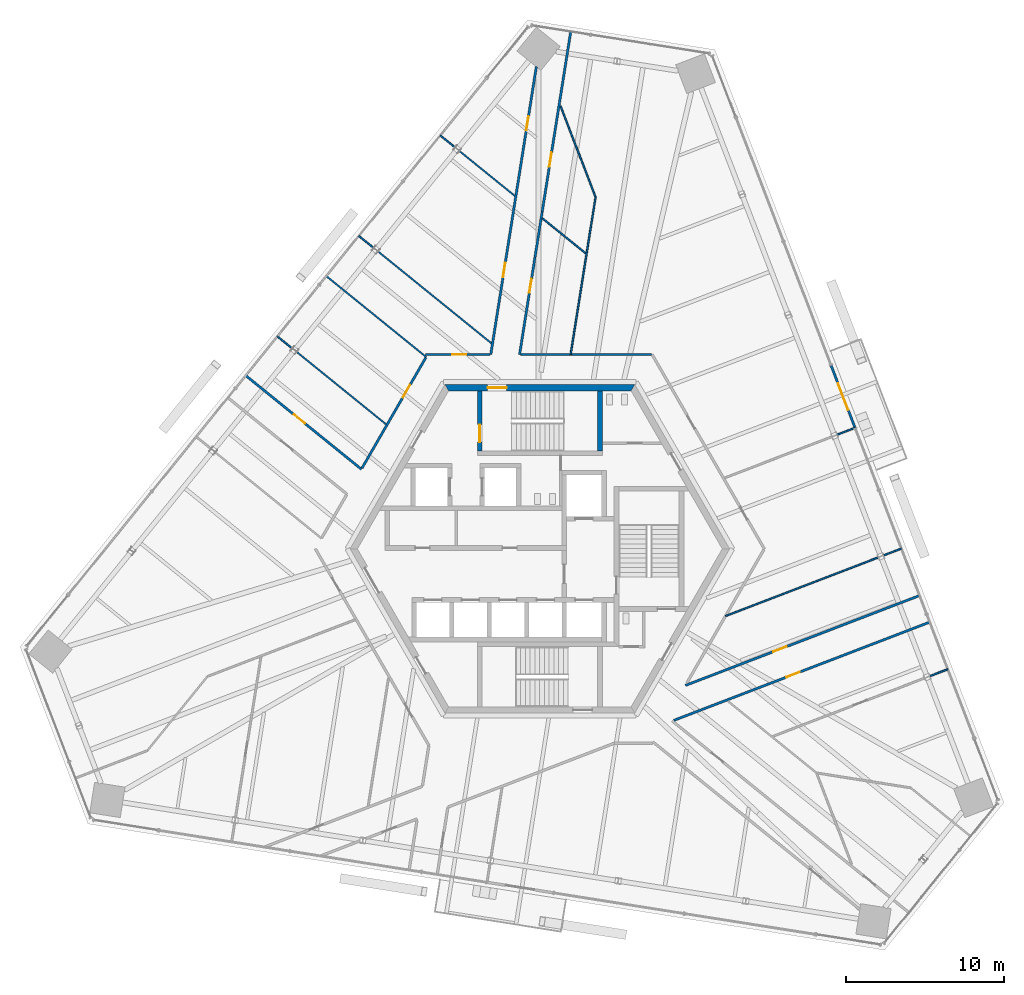
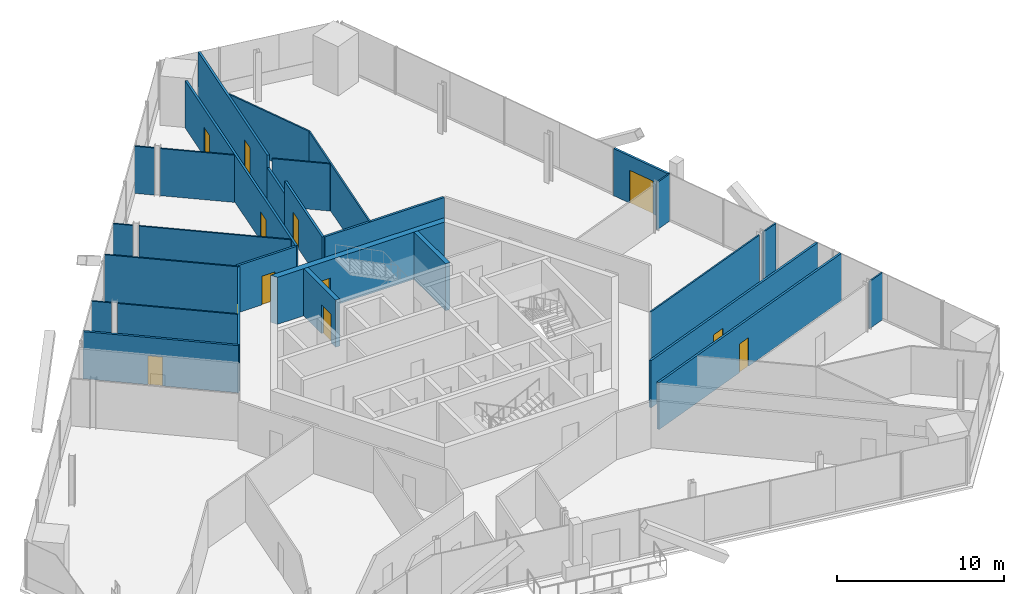
# One storey, part 14 of 19: 28 walls, 12 doors, 12 openings.
"""IFC4 building model written with IfcOpenShell, lengths in metres."""

from ifc_helpers import new_model, si_unit, direction, frame, frame_2d, origin, place, context, subcontext, project, spatial, polyline, rectangle, outline, extrude, source, transform, mapped, material, layer, layer_set, type_object, element, fill, save


model = new_model("IFC4")

# Units and contexts
model_context = context("Model", 3, precision=1e-05, world=origin(), true_north=direction((0.0, 1.0)))
body_context = subcontext(model_context, "Body", "Model", "MODEL_VIEW")
ifc_project = project(units=[si_unit("LENGTHUNIT", "METRE"), si_unit("AREAUNIT", "SQUARE_METRE"), si_unit("VOLUMEUNIT", "CUBIC_METRE"), si_unit("PLANEANGLEUNIT", "RADIAN"), si_unit("MASSUNIT", "GRAM", prefix="KILO")], contexts=[model_context])

# Site, building, storey
site_placement = place(None, origin())
site = spatial("IfcSite", under=ifc_project, at=site_placement, CompositionType="ELEMENT")
building_placement = place(site_placement, origin())
building = spatial("IfcBuilding", under=site, at=building_placement, Name="Triune Harvest Tower", CompositionType="ELEMENT")
storey_placement = place(building_placement, frame((0.0, 0.0, 149.699951171875)))
storey = spatial("IfcBuildingStorey", under=building, at=storey_placement, Name="L38", CompositionType="ELEMENT", Elevation=149.699951171875)

# Wall, opening, door
ifc_material_1 = material(Name="Gypsum board on steel studs", Category="steel")
ifc_layer_1 = layer(ifc_material_1, 0.14990234375)
ifc_layer_set_1 = layer_set([ifc_layer_1], Name="Gypsum board on steel studs")
wall_type_1 = type_object("IfcWallType", Name="Fire Partition 150 mm", PredefinedType="PARTITIONING", material=ifc_layer_set_1)
wall_1_placement = place(storey_placement, frame((-7.24560546875, 12.292236328125, 0.0), z_axis=(0.0, 0.0, 1.0), x_axis=(1.0, 0.0, 0.0)))
wall_1 = element("IfcWall", 1, at=wall_1_placement, inside=storey, type_object=wall_type_1, Name="Partition L38 023", PredefinedType="PARTITIONING", context=body_context, shape_type="SweptSolid", body=[
    extrude(rectangle(XDim=4.093017578125, YDim=0.14990234375, at=frame_2d((2.04638671875, 0.0))), origin(), (0.0, 0.0, 1.0), 3.43994140625),
])
opening_1_placement = place(wall_1_placement, frame((1.69287109375, 0.0, 0.0)))
opening_1 = element("IfcOpeningElement", 2, at=opening_1_placement, cuts=wall_1, Name="Opening L38-011", PredefinedType="OPENING", context=body_context, shape_type="SweptSolid", body=[
    extrude(rectangle(XDim=0.89990234375, YDim=2.10009765625, at=frame_2d((0.449951171875, 1.050048828125))), frame((0.0, 0.0849609375, 0.0), z_axis=(0.0, -1.0, 0.0), x_axis=(1.0, 0.0, 0.0)), (0.0, 0.0, 1.0), 0.169921875),
])
ifc_material_2 = material(Name="Timber and steel door set", Category="steel")
door_type_1 = type_object("IfcDoorType", Name="Single leaf door FD30 right hand 900 x 2100", OperationType="SINGLE_SWING_RIGHT", PredefinedType="DOOR", material=ifc_material_2)
door_1_placement = place(opening_1_placement, origin())
door_1 = element("IfcDoor", 3, at=door_1_placement, inside=storey, type_object=door_type_1, Name="Door L38-011 Pantry 38.11", OperationType="SINGLE_SWING_RIGHT", OverallHeight=2.10009765625, OverallWidth=0.89990234375, PredefinedType="DOOR", context=body_context, shape_type="SweptSolid", body=[
    extrude(rectangle(XDim=0.89990234375, YDim=2.10009765625, at=frame_2d((0.449951171875, 1.050048828125))), frame((0.0, 0.02490234375, 0.0), z_axis=(0.0, -1.0, 0.0), x_axis=(1.0, 0.0, 0.0)), (0.0, 0.0, 1.0), 0.050048828125),
])
fill(opening_1, door_1)

wall_2_placement = place(storey_placement, frame((-11.25048828125, 5.097900390625, 0.0), z_axis=(0.0, 0.0, 1.0), x_axis=(0.49998869817, 0.866031928801, 0.0)))
wall_2 = element("IfcWall", 4, at=wall_2_placement, inside=storey, type_object=wall_type_1, Name="Partition L38 042", PredefinedType="PARTITIONING", context=body_context, shape_type="SweptSolid", body=[
    extrude(rectangle(XDim=8.096435546875, YDim=0.14990234375, at=frame_2d((4.04833984375, 0.0))), origin(), (0.0, 0.0, 1.0), 3.43994140625),
])
opening_2_placement = place(wall_2_placement, frame((5.17333984375, 0.0, 0.0)))
opening_2 = element("IfcOpeningElement", 5, at=opening_2_placement, cuts=wall_2, Name="Opening L38-010", PredefinedType="OPENING", context=body_context, shape_type="SweptSolid", body=[
    extrude(rectangle(XDim=0.89990234375, YDim=2.10009765625, at=frame_2d((0.449951171875, 1.050048828125))), frame((0.0, 0.0849609375, 0.0), z_axis=(0.0, -1.0, 0.0), x_axis=(1.0, 0.0, 0.0)), (0.0, 0.0, 1.0), 0.169921875),
])
door_2_placement = place(opening_2_placement, origin())
door_2 = element("IfcDoor", 6, at=door_2_placement, inside=storey, type_object=door_type_1, Name="Door L38-010 Project Room 38.10", OperationType="SINGLE_SWING_RIGHT", OverallHeight=2.10009765625, OverallWidth=0.89990234375, PredefinedType="DOOR", context=body_context, shape_type="SweptSolid", body=[
    extrude(rectangle(XDim=0.89990234375, YDim=2.10009765625, at=frame_2d((0.449951171875, 1.050048828125))), frame((0.0, 0.02490234375, 0.0), z_axis=(0.0, -1.0, 0.0), x_axis=(1.0, 0.0, 0.0)), (0.0, 0.0, 1.0), 0.050048828125),
])
fill(opening_2, door_2)

# Wall
ifc_material_3 = material(Name="Gypsum board on steel studs", Category="steel")
ifc_layer_2 = layer(ifc_material_3, 0.10009765625)
ifc_layer_set_2 = layer_set([ifc_layer_2], Name="Gypsum board on steel studs")
wall_type_2 = type_object("IfcWallType", Name="Partition 100 mm", PredefinedType="PARTITIONING", material=ifc_layer_set_2)
wall_3_placement = place(storey_placement, frame((-13.505615234375, 17.248291015625, 0.0), z_axis=(0.0, 0.0, 1.0), x_axis=(0.777139237593, -0.629328694239, 0.0)))
element("IfcWall", 7, at=wall_3_placement, inside=storey, type_object=wall_type_2, Name="Partition L38 015", PredefinedType="PARTITIONING", context=body_context, shape_type="SweptSolid", body=[
    extrude(rectangle(XDim=8.128173828125, YDim=0.10009765625, at=frame_2d((4.06396484375, 0.0))), origin(), (0.0, 0.0, 1.0), 3.43994140625),
])

# Wall, opening, door
ifc_material_4 = material(Name="Concrete 70 MPa", Category="concrete")
ifc_layer_3 = layer(ifc_material_4, 0.39990234375)
ifc_layer_set_3 = layer_set([ifc_layer_3], Name="Concrete 70 MPa")
wall_type_3 = type_object("IfcWallType", Name="Core wall 400", PredefinedType="SHEAR", material=ifc_layer_set_3)
shared_shape_1 = source(origin(), body_context, "Body", "SweptSolid", [
    extrude(outline(polyline([(-0.115478515625, -0.199951171875), (11.884521484375, -0.199951171875), (11.653564453125, 0.199951171875), (0.115478515625, 0.199951171875), (-0.115478515625, -0.199951171875)])), origin(), (0.0, 0.0, 1.0), 3.43994140625),
])
wall_4_placement = place(storey_placement, frame((5.884521484375, 10.1923828125, 0.0), z_axis=(0.0, 0.0, 1.0), x_axis=(-1.0, 0.0, 0.0)))
wall_4 = element("IfcWall", 8, at=wall_4_placement, inside=storey, type_object=wall_type_3, Name="Hexagon 1 wall", PredefinedType="SHEAR", context=body_context, shape_type="MappedRepresentation", body=[
    mapped(shared_shape_1, transform((0.0, 0.0, 0.0), scale=1.0)),
])
opening_3_placement = place(wall_4_placement, frame((7.984619140625, 0.0, 0.0)))
opening_3 = element("IfcOpeningElement", 9, at=opening_3_placement, cuts=wall_4, Name="Opening CD-S1P", PredefinedType="OPENING", context=body_context, shape_type="SweptSolid", body=[
    extrude(rectangle(XDim=1.199951171875, YDim=2.10009765625, at=frame_2d((0.60009765625, 1.050048828125))), frame((0.0, 0.2099609375, 0.0), z_axis=(0.0, -1.0, 0.0), x_axis=(1.0, 0.0, 0.0)), (0.0, 0.0, 1.0), 0.419921875),
])
ifc_material_5 = material(Name="Steel S235", Category="steel")
door_type_2 = type_object("IfcDoorType", Name="Stair door 1200 FD120", OperationType="SINGLE_SWING_LEFT", PredefinedType="DOOR", material=ifc_material_5)
door_3_placement = place(opening_3_placement, frame((1.199951171875, 0.0, 0.0), z_axis=(0.0, 0.0, 1.0), x_axis=(-1.0, 0.0, 0.0)))
door_3 = element("IfcDoor", 10, at=door_3_placement, inside=storey, type_object=door_type_2, Name="Door CD-S1P", OperationType="SINGLE_SWING_RIGHT", OverallHeight=2.10009765625, OverallWidth=1.199951171875, PredefinedType="DOOR", context=body_context, shape_type="SweptSolid", body=[
    extrude(rectangle(XDim=1.199951171875, YDim=2.10009765625, at=frame_2d((0.60009765625, 1.050048828125))), frame((0.0, 0.02490234375, 0.0), z_axis=(0.0, -1.0, 0.0), x_axis=(1.0, 0.0, 0.0)), (0.0, 0.0, 1.0), 0.050048828125),
])
fill(opening_3, door_3)

ifc_material_6 = material(Name="Concrete 70 MPa", Category="concrete")
ifc_layer_4 = layer(ifc_material_6, 0.300048828125)
ifc_layer_set_4 = layer_set([ifc_layer_4], Name="Concrete 70 MPa")
wall_type_4 = type_object("IfcWallType", Name="Core wall 300", PredefinedType="SHEAR", material=ifc_layer_set_4)
shared_shape_2 = source(origin(), body_context, "Body", "SweptSolid", [
    extrude(outline(polyline([(0.0, -0.14990234375), (0.0, 0.14990234375), (3.80419921875, 0.14990234375), (3.80419921875, -0.14990234375), (0.0, -0.14990234375)])), origin(), (0.0, 0.0, 1.0), 3.43994140625),
])
wall_5_placement = place(storey_placement, frame((-3.800048828125, 6.18994140625, 0.0), z_axis=(0.0, 0.0, 1.0), x_axis=(0.0, 1.0, 0.0)))
wall_5 = element("IfcWall", 11, at=wall_5_placement, inside=storey, type_object=wall_type_4, Name="Stair n west wall", PredefinedType="SHEAR", context=body_context, shape_type="MappedRepresentation", body=[
    mapped(shared_shape_2, transform((0.0, 0.0, 0.0), scale=1.0)),
])
opening_4_placement = place(wall_5_placement, frame((0.56005859375, 0.0, 0.0)))
opening_4 = element("IfcOpeningElement", 12, at=opening_4_placement, cuts=wall_5, Name="Opening CD-S1L", PredefinedType="OPENING", context=body_context, shape_type="SweptSolid", body=[
    extrude(rectangle(XDim=1.10009765625, YDim=2.10009765625, at=frame_2d((0.550048828125, 1.050048828125))), frame((0.0, 0.16015625, 0.0), z_axis=(0.0, -1.0, 0.0), x_axis=(1.0, 0.0, 0.0)), (0.0, 0.0, 1.0), 0.320068359375),
])
ifc_material_7 = material(Name="Steel S235", Category="steel")
door_type_3 = type_object("IfcDoorType", Name="Stair door 1100 FD120", OperationType="SINGLE_SWING_LEFT", PredefinedType="DOOR", material=ifc_material_7)
door_4_placement = place(opening_4_placement, frame((1.10009765625, 0.0, 0.0), z_axis=(0.0, 0.0, 1.0), x_axis=(-1.0, 0.0, 0.0)))
door_4 = element("IfcDoor", 13, at=door_4_placement, inside=storey, type_object=door_type_3, Name="Door CD-S1L", OperationType="SINGLE_SWING_RIGHT", OverallHeight=2.10009765625, OverallWidth=1.10009765625, PredefinedType="DOOR", context=body_context, shape_type="SweptSolid", body=[
    extrude(rectangle(XDim=1.10009765625, YDim=2.10009765625, at=frame_2d((0.550048828125, 1.050048828125))), frame((0.0, 0.02490234375, 0.0), z_axis=(0.0, -1.0, 0.0), x_axis=(1.0, 0.0, 0.0)), (0.0, 0.0, 1.0), 0.050048828125),
])
fill(opening_4, door_4)

# Wall
wall_6_placement = place(storey_placement, frame((3.800048828125, 6.18994140625, 0.0), z_axis=(0.0, 0.0, 1.0), x_axis=(0.0, 1.0, 0.0)))
element("IfcWall", 14, at=wall_6_placement, inside=storey, type_object=wall_type_4, Name="Stair n east wall", PredefinedType="SHEAR", context=body_context, shape_type="MappedRepresentation", body=[
    mapped(shared_shape_2, transform((0.0, 0.0, 0.0), scale=1.0)),
])

# Wall, opening, door
ifc_material_8 = material(Name="Aluminium bronze anodised", Category="aluminium")
ifc_layer_5 = layer(ifc_material_8, 0.14990234375)
ifc_layer_set_5 = layer_set([ifc_layer_5], Name="Aluminium bronze anodised")
wall_type_5 = type_object("IfcWallType", Name="WW-2 balcony window wall", PredefinedType="ELEMENTEDWALL", material=ifc_layer_set_5)
shared_shape_3 = source(origin(), body_context, "Body", "SweptSolid", [
    extrude(rectangle(XDim=4.22119140625, YDim=0.14990234375, at=frame_2d((2.110595703125, 0.0))), origin(), (0.0, 0.0, 1.0), 3.43994140625),
])
wall_7_placement = place(storey_placement, frame((18.419921875, 11.59228515625, 0.0), z_axis=(0.0, 0.0, 1.0), x_axis=(0.358351150788, -0.933586874762, 0.0)))
wall_7 = element("IfcWall", 15, at=wall_7_placement, inside=storey, type_object=wall_type_5, Name="WW-2 B4-F1 L38.7", PredefinedType="ELEMENTEDWALL", context=body_context, shape_type="MappedRepresentation", body=[
    mapped(shared_shape_3, transform((0.0, 0.0, 0.0), scale=1.0)),
])
opening_5_placement = place(wall_7_placement, frame((1.21044921875, 0.0, 0.0)))
opening_5 = element("IfcOpeningElement", 16, at=opening_5_placement, cuts=wall_7, Name="Opening L38-E01", PredefinedType="OPENING", context=body_context, shape_type="SweptSolid", body=[
    extrude(rectangle(XDim=1.800048828125, YDim=2.39990234375, at=frame_2d((0.89990234375, 1.199951171875))), frame((0.0, 0.0849609375, 0.0), z_axis=(0.0, -1.0, 0.0), x_axis=(1.0, 0.0, 0.0)), (0.0, 0.0, 1.0), 0.169921875),
])
ifc_material_9 = material(Name="Glass", Category="glass")
door_type_4 = type_object("IfcDoorType", Name="DB-1 balcony door 1800 x 2400", OperationType="DOUBLE_DOOR_SINGLE_SWING", PredefinedType="DOOR", material=ifc_material_9)
door_5_placement = place(opening_5_placement, origin())
door_5 = element("IfcDoor", 17, at=door_5_placement, inside=storey, type_object=door_type_4, Name="Door L38-E01", OperationType="DOUBLE_DOOR_SINGLE_SWING", OverallHeight=2.39990234375, OverallWidth=1.800048828125, PredefinedType="DOOR", context=body_context, shape_type="SweptSolid", body=[
    extrude(rectangle(XDim=1.800048828125, YDim=2.39990234375, at=frame_2d((0.89990234375, 1.199951171875))), frame((0.0, 0.02490234375, 0.0), z_axis=(0.0, -1.0, 0.0), x_axis=(1.0, 0.0, 0.0)), (0.0, 0.0, 1.0), 0.050048828125),
])
fill(opening_5, door_5)

# Walls
shared_shape_4 = source(origin(), body_context, "Body", "SweptSolid", [
    extrude(rectangle(XDim=6.1650390625, YDim=0.10009765625, at=frame_2d((3.08251953125, 0.0))), origin(), (0.0, 0.0, 1.0), 3.43994140625),
])
wall_8_placement = place(storey_placement, frame((1.3095703125, 28.00439453125, 0.0), z_axis=(0.0, 0.0, 1.0), x_axis=(0.358347425977, -0.933588304498, 0.0)))
element("IfcWall", 18, at=wall_8_placement, inside=storey, type_object=wall_type_2, Name="Partition L38 001", PredefinedType="PARTITIONING", context=body_context, shape_type="MappedRepresentation", body=[
    mapped(shared_shape_4, transform((0.0, 0.0, 0.0), scale=1.0)),
])
shared_shape_5 = source(origin(), body_context, "Body", "SweptSolid", [
    extrude(rectangle(XDim=1.212158203125, YDim=0.10009765625, at=frame_2d((0.60595703125, 0.0))), origin(), (0.0, 0.0, 1.0), 3.43994140625),
])
for number, where, z_axis, x_axis, name in (
    (19, (-11.447998046875, 19.78955078125, 0.0), (0.0, 0.0, 1.0), (0.777240180322, -0.629204022629, 0.0), "Partition L38 016"),
    (20, (-6.303466796875, 26.142578125, 0.0), (0.0, 0.0, 1.0), (0.777240180322, -0.629204022629, 0.0), "Partition L38 018"),
    (21, (24.660400390625, -8.047119140625, 0.0), (0.0, 0.0, 1.0), (0.933594564159, 0.358331117506, 0.0), "Partition L38 026"),
    (22, (21.730712890625, -0.4150390625, 0.0), (0.0, 0.0, 1.0), (0.933594564159, 0.358331117506, 0.0), "Partition L38 034"),
    (23, (18.801025390625, 7.216796875, 0.0), (0.0, 0.0, 1.0), (0.933594564159, 0.358331117506, 0.0), "Partition L38 038"),
):
    element("IfcWall", number, at=place(storey_placement, frame(where, z_axis=z_axis, x_axis=x_axis)), inside=storey, type_object=wall_type_2, Name=name, PredefinedType="PARTITIONING", context=body_context, shape_type="MappedRepresentation", body=[
        mapped(shared_shape_5, transform((0.0, 0.0, 0.0), scale=1.0)),
    ])

# Wall, opening, door
shared_shape_6 = source(origin(), body_context, "Body", "SweptSolid", [
    extrude(rectangle(XDim=9.409912109375, YDim=0.14990234375, at=frame_2d((4.705078125, 0.0))), origin(), (0.0, 0.0, 1.0), 3.43994140625),
])
wall_9_placement = place(storey_placement, frame((-18.5986328125, 10.958984375, 0.0), z_axis=(0.0, 0.0, 1.0), x_axis=(0.777149399254, -0.6293161457, 0.0)))
wall_9 = element("IfcWall", 24, at=wall_9_placement, inside=storey, type_object=wall_type_1, Name="Partition L38 009", PredefinedType="PARTITIONING", context=body_context, shape_type="MappedRepresentation", body=[
    mapped(shared_shape_6, transform((0.0, 0.0, 0.0), scale=1.0)),
])
opening_6_placement = place(wall_9_placement, frame((3.914794921875, 0.0, 0.0)))
opening_6 = element("IfcOpeningElement", 25, at=opening_6_placement, cuts=wall_9, Name="Opening L38-013", PredefinedType="OPENING", context=body_context, shape_type="SweptSolid", body=[
    extrude(rectangle(XDim=0.89990234375, YDim=2.10009765625, at=frame_2d((0.449951171875, 1.050048828125))), frame((0.0, 0.0849609375, 0.0), z_axis=(0.0, -1.0, 0.0), x_axis=(1.0, 0.0, 0.0)), (0.0, 0.0, 1.0), 0.169921875),
])
ifc_material_10 = material(Name="Timber and steel door set", Category="steel")
door_type_5 = type_object("IfcDoorType", Name="Single leaf door FD30 left hand 900 x 2100", OperationType="SINGLE_SWING_LEFT", PredefinedType="DOOR", material=ifc_material_10)
door_6_placement = place(opening_6_placement, origin())
door_6 = element("IfcDoor", 26, at=door_6_placement, inside=storey, type_object=door_type_5, Name="Door L38-013 Office 38.13", OperationType="SINGLE_SWING_LEFT", OverallHeight=2.10009765625, OverallWidth=0.89990234375, PredefinedType="DOOR", context=body_context, shape_type="SweptSolid", body=[
    extrude(rectangle(XDim=0.89990234375, YDim=2.10009765625, at=frame_2d((0.449951171875, 1.050048828125))), frame((0.0, 0.02490234375, 0.0), z_axis=(0.0, -1.0, 0.0), x_axis=(1.0, 0.0, 0.0)), (0.0, 0.0, 1.0), 0.050048828125),
])
fill(opening_6, door_6)

# Walls
shared_shape_7 = source(origin(), body_context, "Body", "SweptSolid", [
    extrude(rectangle(XDim=1.2119140625, YDim=0.10009765625, at=frame_2d((0.60595703125, 0.0))), origin(), (0.0, 0.0, 1.0), 3.43994140625),
])
wall_10_placement = place(storey_placement, frame((-16.592529296875, 13.436279296875, 0.0), z_axis=(0.0, 0.0, 1.0), x_axis=(0.777160423943, -0.629302530948, 0.0)))
element("IfcWall", 27, at=wall_10_placement, inside=storey, type_object=wall_type_2, Name="Partition L38 011", PredefinedType="PARTITIONING", context=body_context, shape_type="MappedRepresentation", body=[
    mapped(shared_shape_7, transform((0.0, 0.0, 0.0), scale=1.0)),
])
shared_shape_8 = source(origin(), body_context, "Body", "SweptSolid", [
    extrude(rectangle(XDim=7.279541015625, YDim=0.10009765625, at=frame_2d((3.6396484375, 0.0))), origin(), (0.0, 0.0, 1.0), 3.43994140625),
])
wall_11_placement = place(storey_placement, frame((-15.3759765625, 12.451171875, 0.0), z_axis=(0.0, 0.0, 1.0), x_axis=(0.777164420304, -0.629297595589, 0.0)))
element("IfcWall", 28, at=wall_11_placement, inside=storey, type_object=wall_type_2, Name="Partition L38 012", PredefinedType="PARTITIONING", context=body_context, shape_type="MappedRepresentation", body=[
    mapped(shared_shape_8, transform((0.0, 0.0, 0.0), scale=1.0)),
])
shared_shape_9 = source(origin(), body_context, "Body", "SweptSolid", [
    extrude(rectangle(XDim=9.21630859375, YDim=0.10009765625, at=frame_2d((4.608154296875, 0.0))), origin(), (0.0, 0.0, 1.0), 3.43994140625),
])
wall_12_placement = place(storey_placement, frame((-10.231201171875, 18.804443359375, 0.0), z_axis=(0.0, 0.0, 1.0), x_axis=(0.777141222029, -0.629326243711, 0.0)))
element("IfcWall", 29, at=wall_12_placement, inside=storey, type_object=wall_type_2, Name="Partition L38 017", PredefinedType="PARTITIONING", context=body_context, shape_type="MappedRepresentation", body=[
    mapped(shared_shape_9, transform((0.0, 0.0, 0.0), scale=1.0)),
])
shared_shape_10 = source(origin(), body_context, "Body", "SweptSolid", [
    extrude(rectangle(XDim=4.496337890625, YDim=0.10009765625, at=frame_2d((2.248046875, 0.0))), origin(), (0.0, 0.0, 1.0), 3.43994140625),
])
wall_13_placement = place(storey_placement, frame((-5.086669921875, 25.157470703125, 0.0), z_axis=(0.0, 0.0, 1.0), x_axis=(0.777157615615, -0.62930599909, 0.0)))
element("IfcWall", 30, at=wall_13_placement, inside=storey, type_object=wall_type_2, Name="Partition L38 019", PredefinedType="PARTITIONING", context=body_context, shape_type="MappedRepresentation", body=[
    mapped(shared_shape_10, transform((0.0, 0.0, 0.0), scale=1.0)),
])
shared_shape_11 = source(origin(), body_context, "Body", "SweptSolid", [
    extrude(rectangle(XDim=3.53076171875, YDim=0.10009765625, at=frame_2d((1.765380859375, 0.0))), origin(), (0.0, 0.0, 1.0), 3.43994140625),
])
wall_14_placement = place(storey_placement, frame((0.1630859375, 20.906494140625, 0.0), z_axis=(0.0, 0.0, 1.0), x_axis=(0.777151465332, -0.629313594269, 0.0)))
element("IfcWall", 31, at=wall_14_placement, inside=storey, type_object=wall_type_2, Name="Partition L38 020", PredefinedType="PARTITIONING", context=body_context, shape_type="MappedRepresentation", body=[
    mapped(shared_shape_11, transform((0.0, 0.0, 0.0), scale=1.0)),
])
shared_shape_12 = source(origin(), body_context, "Body", "SweptSolid", [
    extrude(rectangle(XDim=8.25732421875, YDim=0.14990234375, at=frame_2d((4.128662109375, 0.0))), origin(), (0.0, 0.0, 1.0), 3.43994140625),
])
wall_15_placement = place(storey_placement, frame((-1.210205078125, 12.292236328125, 0.0), z_axis=(0.0, 0.0, 1.0), x_axis=(1.0, 0.0, 0.0)))
element("IfcWall", 32, at=wall_15_placement, inside=storey, type_object=wall_type_1, Name="Partition L38 024", PredefinedType="PARTITIONING", context=body_context, shape_type="MappedRepresentation", body=[
    mapped(shared_shape_12, transform((0.0, 0.0, 0.0), scale=1.0)),
])

# Wall, opening, door
shared_shape_13 = source(origin(), body_context, "Body", "SweptSolid", [
    extrude(rectangle(XDim=17.322021484375, YDim=0.14990234375, at=frame_2d((8.6611328125, 0.0))), origin(), (0.0, 0.0, 1.0), 3.43994140625),
])
wall_16_placement = place(storey_placement, frame((8.478271484375, -10.844482421875, 0.0), z_axis=(0.0, 0.0, 1.0), x_axis=(0.933577530951, 0.35837549261, 0.0)))
wall_16 = element("IfcWall", 33, at=wall_16_placement, inside=storey, type_object=wall_type_1, Name="Partition L38 030", PredefinedType="PARTITIONING", context=body_context, shape_type="MappedRepresentation", body=[
    mapped(shared_shape_13, transform((0.0, 0.0, 0.0), scale=1.0)),
])
opening_7_placement = place(wall_16_placement, frame((7.620361328125, 0.0, 0.0)))
opening_7 = element("IfcOpeningElement", 34, at=opening_7_placement, cuts=wall_16, Name="Opening L38-003", PredefinedType="OPENING", context=body_context, shape_type="SweptSolid", body=[
    extrude(rectangle(XDim=0.89990234375, YDim=2.10009765625, at=frame_2d((0.449951171875, 1.050048828125))), frame((0.0, 0.0849609375, 0.0), z_axis=(0.0, -1.0, 0.0), x_axis=(1.0, 0.0, 0.0)), (0.0, 0.0, 1.0), 0.169921875),
])
door_7_placement = place(opening_7_placement, origin())
door_7 = element("IfcDoor", 35, at=door_7_placement, inside=storey, type_object=door_type_1, Name="Door L38-003 Office 38.03", OperationType="SINGLE_SWING_RIGHT", OverallHeight=2.10009765625, OverallWidth=0.89990234375, PredefinedType="DOOR", context=body_context, shape_type="SweptSolid", body=[
    extrude(rectangle(XDim=0.89990234375, YDim=2.10009765625, at=frame_2d((0.449951171875, 1.050048828125))), frame((0.0, 0.02490234375, 0.0), z_axis=(0.0, -1.0, 0.0), x_axis=(1.0, 0.0, 0.0)), (0.0, 0.0, 1.0), 0.050048828125),
])
fill(opening_7, door_7)

shared_shape_14 = source(origin(), body_context, "Body", "SweptSolid", [
    extrude(rectangle(XDim=15.849365234375, YDim=0.14990234375, at=frame_2d((7.9248046875, 0.0))), origin(), (0.0, 0.0, 1.0), 3.43994140625),
])
wall_17_placement = place(storey_placement, frame((9.207763671875, -8.636474609375, 0.0), z_axis=(0.0, 0.0, 1.0), x_axis=(0.933579640941, 0.358369995982, 0.0)))
wall_17 = element("IfcWall", 36, at=wall_17_placement, inside=storey, type_object=wall_type_1, Name="Partition L38 032", PredefinedType="PARTITIONING", context=body_context, shape_type="MappedRepresentation", body=[
    mapped(shared_shape_14, transform((0.0, 0.0, 0.0), scale=1.0)),
])
opening_8_placement = place(wall_17_placement, frame((5.947509765625, 0.0, 0.0)))
opening_8 = element("IfcOpeningElement", 37, at=opening_8_placement, cuts=wall_17, Name="Opening L38-002", PredefinedType="OPENING", context=body_context, shape_type="SweptSolid", body=[
    extrude(rectangle(XDim=0.89990234375, YDim=2.10009765625, at=frame_2d((0.449951171875, 1.050048828125))), frame((0.0, 0.0849609375, 0.0), z_axis=(0.0, -1.0, 0.0), x_axis=(1.0, 0.0, 0.0)), (0.0, 0.0, 1.0), 0.169921875),
])
door_8_placement = place(opening_8_placement, origin())
door_8 = element("IfcDoor", 38, at=door_8_placement, inside=storey, type_object=door_type_5, Name="Door L38-002 Project Room 38.02", OperationType="SINGLE_SWING_LEFT", OverallHeight=2.10009765625, OverallWidth=0.89990234375, PredefinedType="DOOR", context=body_context, shape_type="SweptSolid", body=[
    extrude(rectangle(XDim=0.89990234375, YDim=2.10009765625, at=frame_2d((0.449951171875, 1.050048828125))), frame((0.0, 0.02490234375, 0.0), z_axis=(0.0, -1.0, 0.0), x_axis=(1.0, 0.0, 0.0)), (0.0, 0.0, 1.0), 0.050048828125),
])
fill(opening_8, door_8)

# Walls
shared_shape_15 = source(origin(), body_context, "Body", "SweptSolid", [
    extrude(rectangle(XDim=10.34765625, YDim=0.10009765625, at=frame_2d((5.173828125, 0.0))), origin(), (0.0, 0.0, 1.0), 3.43994140625),
])
wall_18_placement = place(storey_placement, frame((11.740234375, -4.25, 0.0), z_axis=(0.0, 0.0, 1.0), x_axis=(0.933573448409, 0.358386127558, 0.0)))
element("IfcWall", 39, at=wall_18_placement, inside=storey, type_object=wall_type_2, Name="Partition L38 033", PredefinedType="PARTITIONING", context=body_context, shape_type="MappedRepresentation", body=[
    mapped(shared_shape_15, transform((0.0, 0.0, 0.0), scale=1.0)),
])
shared_shape_16 = source(origin(), body_context, "Body", "SweptSolid", [
    extrude(rectangle(XDim=10.0712890625, YDim=0.10009765625, at=frame_2d((5.03564453125, 0.0))), origin(), (0.0, 0.0, 1.0), 3.43994140625),
])
wall_19_placement = place(storey_placement, frame((1.947021484375, 12.292236328125, 0.0), z_axis=(0.0, 0.0, 1.0), x_axis=(0.15642936564, 0.987689148247, 0.0)))
element("IfcWall", 40, at=wall_19_placement, inside=storey, type_object=wall_type_2, Name="Partition L38 045", PredefinedType="PARTITIONING", context=body_context, shape_type="MappedRepresentation", body=[
    mapped(shared_shape_16, transform((0.0, 0.0, 0.0), scale=1.0)),
])

# Wall, opening, door
shared_shape_17 = source(origin(), body_context, "Body", "SweptSolid", [
    extrude(rectangle(XDim=6.223388671875, YDim=0.14990234375, at=frame_2d((3.11181640625, 0.0))), origin(), (0.0, 0.0, 1.0), 3.43994140625),
])
wall_20_placement = place(storey_placement, frame((-1.280517578125, 12.292236328125, 0.0), z_axis=(0.0, 0.0, 1.0), x_axis=(0.156448048694, 0.98768618906, 0.0)))
wall_20 = element("IfcWall", 41, at=wall_20_placement, inside=storey, type_object=wall_type_1, Name="Partition L38 047", PredefinedType="PARTITIONING", context=body_context, shape_type="MappedRepresentation", body=[
    mapped(shared_shape_17, transform((0.0, 0.0, 0.0), scale=1.0)),
])
opening_9_placement = place(wall_20_placement, frame((3.949951171875, 0.0, 0.0)))
opening_9 = element("IfcOpeningElement", 42, at=opening_9_placement, cuts=wall_20, Name="Opening L38-009", PredefinedType="OPENING", context=body_context, shape_type="SweptSolid", body=[
    extrude(rectangle(XDim=0.89990234375, YDim=2.10009765625, at=frame_2d((0.449951171875, 1.050048828125))), frame((0.0, 0.0849609375, 0.0), z_axis=(0.0, -1.0, 0.0), x_axis=(1.0, 0.0, 0.0)), (0.0, 0.0, 1.0), 0.169921875),
])
door_9_placement = place(opening_9_placement, origin())
door_9 = element("IfcDoor", 43, at=door_9_placement, inside=storey, type_object=door_type_1, Name="Door L38-009 Office 38.09", OperationType="SINGLE_SWING_RIGHT", OverallHeight=2.10009765625, OverallWidth=0.89990234375, PredefinedType="DOOR", context=body_context, shape_type="SweptSolid", body=[
    extrude(rectangle(XDim=0.89990234375, YDim=2.10009765625, at=frame_2d((0.449951171875, 1.050048828125))), frame((0.0, 0.02490234375, 0.0), z_axis=(0.0, -1.0, 0.0), x_axis=(1.0, 0.0, 0.0)), (0.0, 0.0, 1.0), 0.050048828125),
])
fill(opening_9, door_9)

# Wall
shared_shape_18 = source(origin(), body_context, "Body", "SweptSolid", [
    extrude(rectangle(XDim=2.91162109375, YDim=0.14990234375, at=frame_2d((1.455810546875, 0.0))), origin(), (0.0, 0.0, 1.0), 2.51806640625),
])
wall_21_placement = place(storey_placement, frame((-0.306884765625, 18.43896484375, 0.0), z_axis=(0.0, 0.0, 1.0), x_axis=(0.156384540277, 0.987696246607, 0.0)))
element("IfcWall", 44, at=wall_21_placement, inside=storey, type_object=wall_type_1, Name="Partition L38 047a", PredefinedType="PARTITIONING", context=body_context, shape_type="MappedRepresentation", body=[
    mapped(shared_shape_18, transform((0.0, 0.0, 0.0), scale=1.0)),
])

# Wall, opening, door
shared_shape_19 = source(origin(), body_context, "Body", "SweptSolid", [
    extrude(rectangle(XDim=11.533447265625, YDim=0.14990234375, at=frame_2d((5.7666015625, 0.0))), origin(), (0.0, 0.0, 1.0), 3.43994140625),
])
wall_22_placement = place(storey_placement, frame((0.1484375, 21.314697265625, 0.0), z_axis=(0.0, 0.0, 1.0), x_axis=(0.156453884379, 0.987685264678, 0.0)))
wall_22 = element("IfcWall", 45, at=wall_22_placement, inside=storey, type_object=wall_type_1, Name="Partition L38 047b", PredefinedType="PARTITIONING", context=body_context, shape_type="MappedRepresentation", body=[
    mapped(shared_shape_19, transform((0.0, 0.0, 0.0), scale=1.0)),
])
opening_10_placement = place(wall_22_placement, frame((2.89404296875, 0.0, 0.0)))
opening_10 = element("IfcOpeningElement", 46, at=opening_10_placement, cuts=wall_22, Name="Opening L38-007", PredefinedType="OPENING", context=body_context, shape_type="SweptSolid", body=[
    extrude(rectangle(XDim=0.89990234375, YDim=2.10009765625, at=frame_2d((0.449951171875, 1.050048828125))), frame((0.0, 0.0849609375, 0.0), z_axis=(0.0, -1.0, 0.0), x_axis=(1.0, 0.0, 0.0)), (0.0, 0.0, 1.0), 0.169921875),
])
door_10_placement = place(opening_10_placement, origin())
door_10 = element("IfcDoor", 47, at=door_10_placement, inside=storey, type_object=door_type_5, Name="Door L38-007 Open Office 38.07", OperationType="SINGLE_SWING_LEFT", OverallHeight=2.10009765625, OverallWidth=0.89990234375, PredefinedType="DOOR", context=body_context, shape_type="SweptSolid", body=[
    extrude(rectangle(XDim=0.89990234375, YDim=2.10009765625, at=frame_2d((0.449951171875, 1.050048828125))), frame((0.0, 0.02490234375, 0.0), z_axis=(0.0, -1.0, 0.0), x_axis=(1.0, 0.0, 0.0)), (0.0, 0.0, 1.0), 0.050048828125),
])
fill(opening_10, door_10)

# Wall, openings, doors
shared_shape_20 = source(origin(), body_context, "Body", "SweptSolid", [
    extrude(rectangle(XDim=18.4287109375, YDim=0.14990234375, at=frame_2d((9.21435546875, 0.0))), origin(), (0.0, 0.0, 1.0), 3.43994140625),
])
wall_23_placement = place(storey_placement, frame((-3.102783203125, 12.29248046875, 0.0), z_axis=(0.0, 0.0, 1.0), x_axis=(0.156416992947, 0.987691107744, 0.0)))
wall_23 = element("IfcWall", 48, at=wall_23_placement, inside=storey, type_object=wall_type_1, Name="Partition L38 050", PredefinedType="PARTITIONING", context=body_context, shape_type="MappedRepresentation", body=[
    mapped(shared_shape_20, transform((0.0, 0.0, 0.0), scale=1.0)),
])
opening_11_placement = place(wall_23_placement, frame((14.349609375, 0.0, 0.0)))
opening_11 = element("IfcOpeningElement", 49, at=opening_11_placement, cuts=wall_23, Name="Opening L38-006", PredefinedType="OPENING", context=body_context, shape_type="SweptSolid", body=[
    extrude(rectangle(XDim=0.89990234375, YDim=2.10009765625, at=frame_2d((0.449951171875, 1.050048828125))), frame((0.0, 0.0849609375, 0.0), z_axis=(0.0, -1.0, 0.0), x_axis=(1.0, 0.0, 0.0)), (0.0, 0.0, 1.0), 0.169921875),
])
opening_12_placement = place(wall_23_placement, frame((4.952880859375, 0.0, 0.0)))
opening_12 = element("IfcOpeningElement", 50, at=opening_12_placement, cuts=wall_23, Name="Opening L38-008", PredefinedType="OPENING", context=body_context, shape_type="SweptSolid", body=[
    extrude(rectangle(XDim=0.89990234375, YDim=2.10009765625, at=frame_2d((0.449951171875, 1.050048828125))), frame((0.0, 0.0849609375, 0.0), z_axis=(0.0, -1.0, 0.0), x_axis=(1.0, 0.0, 0.0)), (0.0, 0.0, 1.0), 0.169921875),
])
door_11_placement = place(opening_12_placement, origin())
door_11 = element("IfcDoor", 51, at=door_11_placement, inside=storey, type_object=door_type_5, Name="Door L38-008 Office 38.08", OperationType="SINGLE_SWING_LEFT", OverallHeight=2.10009765625, OverallWidth=0.89990234375, PredefinedType="DOOR", context=body_context, shape_type="SweptSolid", body=[
    extrude(rectangle(XDim=0.89990234375, YDim=2.10009765625, at=frame_2d((0.449951171875, 1.050048828125))), frame((0.0, 0.02490234375, 0.0), z_axis=(0.0, -1.0, 0.0), x_axis=(1.0, 0.0, 0.0)), (0.0, 0.0, 1.0), 0.050048828125),
])
fill(opening_12, door_11)
door_12_placement = place(opening_11_placement, origin())
door_12 = element("IfcDoor", 52, at=door_12_placement, inside=storey, type_object=door_type_1, Name="Door L38-006 Open Office 38.06", OperationType="SINGLE_SWING_RIGHT", OverallHeight=2.10009765625, OverallWidth=0.89990234375, PredefinedType="DOOR", context=body_context, shape_type="SweptSolid", body=[
    extrude(rectangle(XDim=0.89990234375, YDim=2.10009765625, at=frame_2d((0.449951171875, 1.050048828125))), frame((0.0, 0.02490234375, 0.0), z_axis=(0.0, -1.0, 0.0), x_axis=(1.0, 0.0, 0.0)), (0.0, 0.0, 1.0), 0.050048828125),
])
fill(opening_11, door_12)

save(model, "model.ifc")
